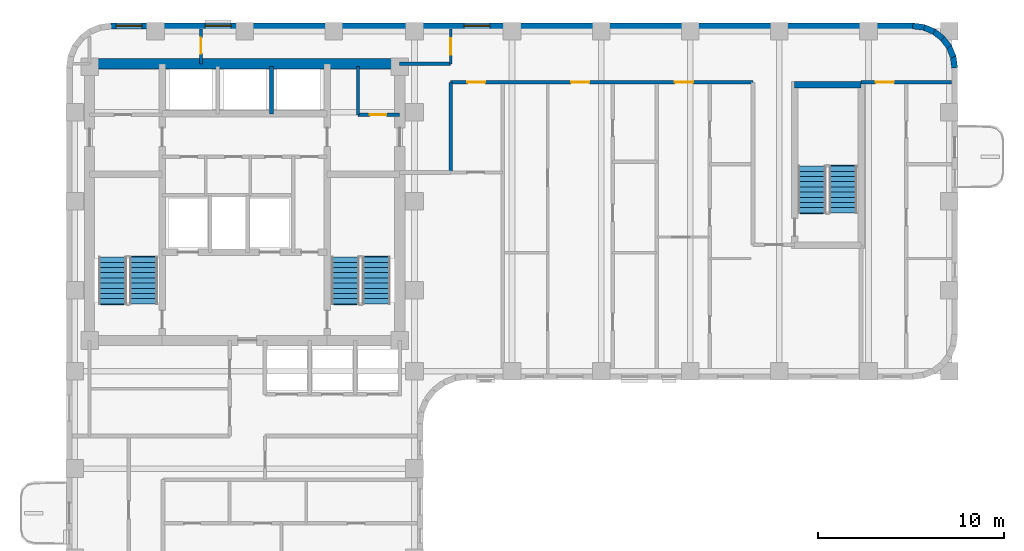
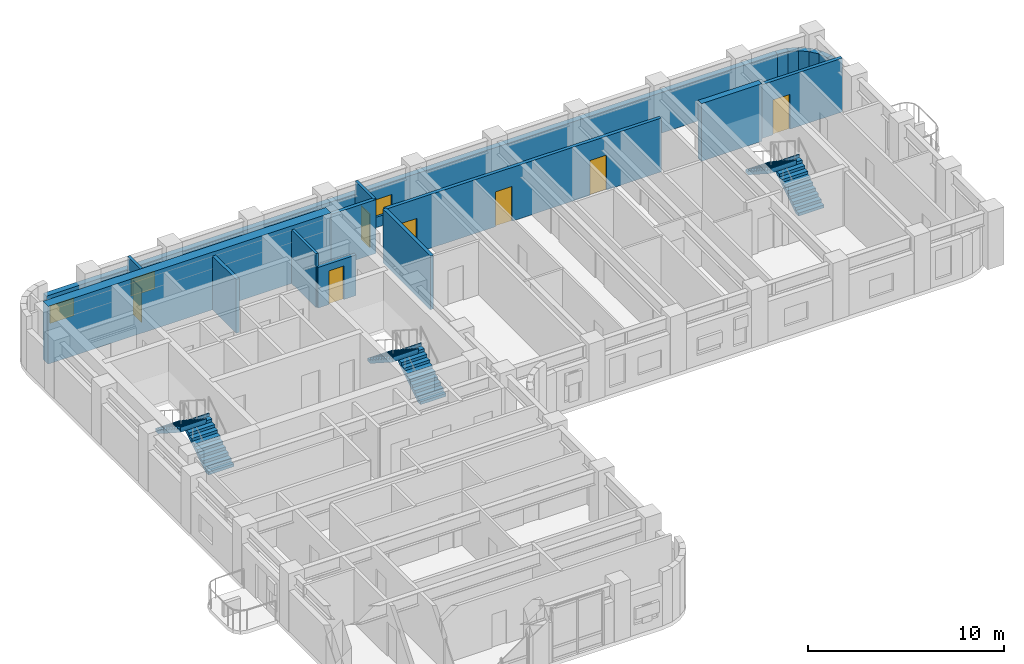
# One storey, part 8 of 11: 18 walls, 7 doors, 6 stair flights, 3 windows, 10 openings, 3 elements without a shape of their own.
"""IFC4 building model written with IfcOpenShell, lengths in metres."""

from ifc_helpers import new_model, si_unit, direction, frame, frame_2d, origin, place, context, subcontext, project, spatial, polyline, rectangle, outline, extrude, material, layer, layer_set, type_object, element, fill, aggregate, save


model = new_model("IFC4")

# Units and contexts
model_context = context("Model", 3, precision=1e-05, world=origin(), true_north=direction((0.0, 1.0)))
body_context = subcontext(model_context, "Body", "Model", "MODEL_VIEW")
ifc_project = project(units=[si_unit("LENGTHUNIT", "METRE"), si_unit("AREAUNIT", "SQUARE_METRE"), si_unit("VOLUMEUNIT", "CUBIC_METRE"), si_unit("PLANEANGLEUNIT", "RADIAN"), si_unit("MASSUNIT", "GRAM", prefix="KILO")], contexts=[model_context])

# Site, building, storey
site_placement = place(None, origin())
site = spatial("IfcSite", under=ifc_project, at=site_placement, CompositionType="ELEMENT")
building_placement = place(site_placement, origin())
building = spatial("IfcBuilding", under=site, at=building_placement, Name="Orvandelia Arch Residences", CompositionType="ELEMENT")
storey_placement = place(building_placement, frame((0.0, 0.0, 146.800048828125)))
storey = spatial("IfcBuildingStorey", under=building, at=storey_placement, Name="L38", CompositionType="ELEMENT", Elevation=146.800048828125)

# Walls
ifc_material_1 = material(Name="Concrete C50/60", Category="concrete")
ifc_layer_1 = layer(ifc_material_1, 0.35009765625, Name="Concrete C50/60", Category="concrete")
ifc_layer_set_1 = layer_set([ifc_layer_1], Name="Concrete C50/60")
wall_type_1 = type_object("IfcWallType", Name="WL-CORE-350", PredefinedType="SHEAR", material=ifc_layer_set_1)
wall_1_placement = place(storey_placement, frame((44.02001953125, 44.659912109375, 0.0), z_axis=(0.0, 0.0, 1.0), x_axis=(1.0, 0.0, 0.0)))
element("IfcWall", 1, at=wall_1_placement, inside=storey, type_object=wall_type_1, Name="East Stair Core Shear Wall L38-N", PredefinedType="SHEAR", context=body_context, shape_type="SweptSolid", body=[
    extrude(rectangle(XDim=3.580078125, YDim=0.35009765625, at=frame_2d((1.7900390625, 0.0))), origin(), (0.0, 0.0, 1.0), 3.599853515625),
])
ifc_material_2 = material(Name="Concrete C60/75", Category="concrete")
ifc_layer_2 = layer(ifc_material_2, 0.550048828125, Name="Concrete C60/75", Category="concrete")
ifc_layer_set_2 = layer_set([ifc_layer_2], Name="Concrete C60/75")
wall_type_2 = type_object("IfcWallType", Name="WL-CORE-550", PredefinedType="SHEAR", material=ifc_layer_set_2)
wall_2_placement = place(storey_placement, frame((6.050048828125, 45.800048828125, 0.0), z_axis=(0.0, 0.0, 1.0), x_axis=(1.0, 0.0, 0.0)))
element("IfcWall", 2, at=wall_2_placement, inside=storey, type_object=wall_type_2, Name="Core Shear Wall L38-N", PredefinedType="SHEAR", context=body_context, shape_type="SweptSolid", body=[
    extrude(rectangle(XDim=16.699951171875, YDim=0.550048828125, at=frame_2d((8.35009765625, 0.0))), origin(), (0.0, 0.0, 1.0), 3.599853515625),
])
ifc_material_3 = material(Name="Fire-Rated Corridor Partition")
ifc_layer_3 = layer(ifc_material_3, 0.199951171875, Name="Fire-Rated Corridor Partition")
ifc_layer_set_3 = layer_set([ifc_layer_3], Name="Fire-Rated Corridor Partition")
wall_type_3 = type_object("IfcWallType", Name="WL-CORR-200", PredefinedType="PARTITIONING", material=ifc_layer_set_3)
wall_3_placement = place(storey_placement, frame((22.75, 45.800048828125, 0.0), z_axis=(0.0, 0.0, 1.0), x_axis=(1.0, 0.0, 0.0)))
element("IfcWall", 3, at=wall_3_placement, inside=storey, type_object=wall_type_3, Name="Interior Partition Wall WL-L38-NCE-S", PredefinedType="PARTITIONING", context=body_context, shape_type="SweptSolid", body=[
    extrude(rectangle(XDim=2.75, YDim=0.199951171875, at=frame_2d((1.375, 0.0))), origin(), (0.0, 0.0, 1.0), 3.35986328125),
])

# Wall, openings, doors
wall_4_placement = place(storey_placement, frame((25.5, 44.800048828125, 0.0), z_axis=(0.0, 0.0, 1.0), x_axis=(1.0, 0.0, 0.0)))
wall_4 = element("IfcWall", 4, at=wall_4_placement, inside=storey, type_object=wall_type_3, Name="Interior Partition Wall WL-L38-EN2-S1", PredefinedType="PARTITIONING", context=body_context, shape_type="SweptSolid", body=[
    extrude(rectangle(XDim=16.280029296875, YDim=0.199951171875, at=frame_2d((8.14013671875, 0.0))), origin(), (0.0, 0.0, 1.0), 3.35986328125),
])
opening_1_placement = place(wall_4_placement, frame((0.89990234375, 0.0, 0.0)))
opening_1 = element("IfcOpeningElement", 5, at=opening_1_placement, cuts=wall_4, Name="Opening D2", PredefinedType="OPENING", context=body_context, shape_type="SweptSolid", body=[
    extrude(rectangle(XDim=0.949951171875, YDim=2.14990234375, at=frame_2d((0.47509765625, 1.074951171875))), frame((0.0, 0.10986328125, 0.0), z_axis=(0.0, -1.0, 0.0), x_axis=(1.0, 0.0, 0.0)), (0.0, 0.0, 1.0), 0.219970703125),
])
opening_2_placement = place(wall_4_placement, frame((6.485595703125, 0.0, 0.0)))
opening_2 = element("IfcOpeningElement", 6, at=opening_2_placement, cuts=wall_4, Name="Opening D1", PredefinedType="OPENING", context=body_context, shape_type="SweptSolid", body=[
    extrude(rectangle(XDim=0.97998046875, YDim=2.179931640625, at=frame_2d((0.489990234375, 1.08984375))), frame((0.0, 0.10986328125, 0.0), z_axis=(0.0, -1.0, 0.0), x_axis=(1.0, 0.0, 0.0)), (0.0, 0.0, 1.0), 0.219970703125),
])
opening_3_placement = place(wall_4_placement, frame((12.074951171875, 0.0, 0.0)))
opening_3 = element("IfcOpeningElement", 7, at=opening_3_placement, cuts=wall_4, Name="Opening D1", PredefinedType="OPENING", context=body_context, shape_type="SweptSolid", body=[
    extrude(rectangle(XDim=0.97998046875, YDim=2.179931640625, at=frame_2d((0.489990234375, 1.08984375))), frame((0.0, 0.10986328125, 0.0), z_axis=(0.0, -1.0, 0.0), x_axis=(1.0, 0.0, 0.0)), (0.0, 0.0, 1.0), 0.219970703125),
])
ifc_material_4 = material(Name="Solid-Core Timber Interior Fire Door", Category="wood")
door_type_1 = type_object("IfcDoorType", Name="DR-APT-950", OperationType="NOTDEFINED", PredefinedType="DOOR", material=ifc_material_4)
door_1_placement = place(opening_1_placement, origin())
door_1 = element("IfcDoor", 8, at=door_1_placement, inside=storey, type_object=door_type_1, Name="DR-L38-EN2KLD", OperationType="SINGLE_SWING_LEFT", OverallHeight=2.14990234375, OverallWidth=0.949951171875, PredefinedType="DOOR", context=body_context, shape_type="SweptSolid", body=[
    extrude(rectangle(XDim=0.949951171875, YDim=2.14990234375, at=frame_2d((0.47509765625, 1.074951171875))), frame((0.0, 0.02490234375, 0.0), z_axis=(0.0, -1.0, 0.0), x_axis=(1.0, 0.0, 0.0)), (0.0, 0.0, 1.0), 0.050048828125),
])
fill(opening_1, door_1)
ifc_material_5 = material(Name="Solid-Core Timber Acoustic Fire Door", Category="wood")
door_type_2 = type_object("IfcDoorType", Name="DR-ENT-980", OperationType="NOTDEFINED", PredefinedType="DOOR", material=ifc_material_5)
door_2_placement = place(opening_2_placement, origin())
door_2 = element("IfcDoor", 9, at=door_2_placement, inside=storey, type_object=door_type_2, Name="Unit L38-03 Entrance Door", OperationType="SINGLE_SWING_LEFT", OverallHeight=2.179931640625, OverallWidth=0.97998046875, PredefinedType="DOOR", context=body_context, shape_type="SweptSolid", body=[
    extrude(rectangle(XDim=0.97998046875, YDim=2.179931640625, at=frame_2d((0.489990234375, 1.08984375))), frame((0.0, 0.02490234375, 0.0), z_axis=(0.0, -1.0, 0.0), x_axis=(1.0, 0.0, 0.0)), (0.0, 0.0, 1.0), 0.050048828125),
])
fill(opening_2, door_2)
door_3_placement = place(opening_3_placement, origin())
door_3 = element("IfcDoor", 10, at=door_3_placement, inside=storey, type_object=door_type_2, Name="Unit L38-04 Entrance Door", OperationType="SINGLE_SWING_RIGHT", OverallHeight=2.179931640625, OverallWidth=0.97998046875, PredefinedType="DOOR", context=body_context, shape_type="SweptSolid", body=[
    extrude(rectangle(XDim=0.97998046875, YDim=2.179931640625, at=frame_2d((0.489990234375, 1.08984375))), frame((0.0, 0.02490234375, 0.0), z_axis=(0.0, -1.0, 0.0), x_axis=(1.0, 0.0, 0.0)), (0.0, 0.0, 1.0), 0.050048828125),
])
fill(opening_3, door_3)

# Wall, opening, door
wall_5_placement = place(storey_placement, frame((47.60009765625, 44.800048828125, 0.0), z_axis=(0.0, 0.0, 1.0), x_axis=(1.0, 0.0, 0.0)))
wall_5 = element("IfcWall", 11, at=wall_5_placement, inside=storey, type_object=wall_type_3, Name="Interior Partition Wall WL-L38-EN2-S2", PredefinedType="PARTITIONING", context=body_context, shape_type="SweptSolid", body=[
    extrude(rectangle(XDim=4.8798828125, YDim=0.199951171875, at=frame_2d((2.43994140625, 0.0))), origin(), (0.0, 0.0, 1.0), 3.35986328125),
])
opening_4_placement = place(wall_5_placement, frame((0.79150390625, 0.0, 0.0)))
opening_4 = element("IfcOpeningElement", 12, at=opening_4_placement, cuts=wall_5, Name="Opening D1", PredefinedType="OPENING", context=body_context, shape_type="SweptSolid", body=[
    extrude(rectangle(XDim=0.97998046875, YDim=2.179931640625, at=frame_2d((0.489990234375, 1.08984375))), frame((0.0, 0.10986328125, 0.0), z_axis=(0.0, -1.0, 0.0), x_axis=(1.0, 0.0, 0.0)), (0.0, 0.0, 1.0), 0.219970703125),
])
door_4_placement = place(opening_4_placement, origin())
door_4 = element("IfcDoor", 13, at=door_4_placement, inside=storey, type_object=door_type_2, Name="Unit L38-05 Entrance Door", OperationType="SINGLE_SWING_LEFT", OverallHeight=2.179931640625, OverallWidth=0.97998046875, PredefinedType="DOOR", context=body_context, shape_type="SweptSolid", body=[
    extrude(rectangle(XDim=0.97998046875, YDim=2.179931640625, at=frame_2d((0.489990234375, 1.08984375))), frame((0.0, 0.02490234375, 0.0), z_axis=(0.0, -1.0, 0.0), x_axis=(1.0, 0.0, 0.0)), (0.0, 0.0, 1.0), 0.050048828125),
])
fill(opening_4, door_4)

# Wall
wall_6_placement = place(storey_placement, frame((25.5, 39.949951171875, 0.0), z_axis=(0.0, 0.0, 1.0), x_axis=(0.0, 1.0, 0.0)))
element("IfcWall", 14, at=wall_6_placement, inside=storey, type_object=wall_type_3, Name="Interior Partition Wall WL-L38-EN2-LW", PredefinedType="PARTITIONING", context=body_context, shape_type="SweptSolid", body=[
    extrude(rectangle(XDim=4.85009765625, YDim=0.199951171875, at=frame_2d((2.425048828125, 0.0))), origin(), (0.0, 0.0, 1.0), 3.35986328125),
])

# Wall, openings, windows
ifc_material_6 = material(Name="Precast concrete C40/50", Category="concrete")
ifc_layer_4 = layer(ifc_material_6, 0.320068359375, Name="Precast concrete C40/50", Category="concrete")
ifc_layer_set_4 = layer_set([ifc_layer_4], Name="Precast concrete C40/50")
wall_type_4 = type_object("IfcWallType", Name="WL-EXT-STONE-320", PredefinedType="STANDARD", material=ifc_layer_set_4)
wall_7_placement = place(storey_placement, frame((7.199951171875, 47.840087890625, 0.0), z_axis=(0.0, 0.0, 1.0), x_axis=(1.0, 0.0, 0.0)))
wall_7 = element("IfcWall", 15, at=wall_7_placement, inside=storey, type_object=wall_type_4, Name="Coral-Limestone Precast Facade Wall L38-007", PredefinedType="STANDARD", context=body_context, shape_type="SweptSolid", body=[
    extrude(rectangle(XDim=43.199951171875, YDim=0.320068359375, at=frame_2d((21.60009765625, 0.0))), origin(), (0.0, 0.0, 1.0), 2.5400390625),
])
opening_5_placement = place(wall_7_placement, frame((19.00244140625, 0.0, 0.64990234375)))
opening_5 = element("IfcOpeningElement", 16, at=opening_5_placement, cuts=wall_7, Name="Opening W10", PredefinedType="OPENING", context=body_context, shape_type="SweptSolid", body=[
    extrude(rectangle(XDim=1.39990234375, YDim=1.10009765625, at=frame_2d((0.699951171875, 0.550048828125))), frame((0.0, 0.169921875, 0.0), z_axis=(0.0, -1.0, 0.0), x_axis=(1.0, 0.0, 0.0)), (0.0, 0.0, 1.0), 0.340087890625),
])
opening_6_placement = place(wall_7_placement, frame((0.282470703125, 0.0, 0.64990234375)))
opening_6 = element("IfcOpeningElement", 17, at=opening_6_placement, cuts=wall_7, Name="Opening W10", PredefinedType="OPENING", context=body_context, shape_type="SweptSolid", body=[
    extrude(rectangle(XDim=1.39990234375, YDim=1.10009765625, at=frame_2d((0.699951171875, 0.550048828125))), frame((0.0, 0.169921875, 0.0), z_axis=(0.0, -1.0, 0.0), x_axis=(1.0, 0.0, 0.0)), (0.0, 0.0, 1.0), 0.340087890625),
])
opening_7_placement = place(wall_7_placement, frame((5.077392578125, 0.0, 0.64990234375)))
opening_7 = element("IfcOpeningElement", 18, at=opening_7_placement, cuts=wall_7, Name="Opening W10", PredefinedType="OPENING", context=body_context, shape_type="SweptSolid", body=[
    extrude(rectangle(XDim=1.39990234375, YDim=1.10009765625, at=frame_2d((0.699951171875, 0.550048828125))), frame((0.0, 0.169921875, 0.0), z_axis=(0.0, -1.0, 0.0), x_axis=(1.0, 0.0, 0.0)), (0.0, 0.0, 1.0), 0.340087890625),
])
ifc_material_7 = material(Name="Tempered Low-E Insulated Glazing", Category="glass")
window_type = type_object("IfcWindowType", Name="WIN-CLR-1400x1100", PartitioningType="SINGLE_PANEL", PredefinedType="WINDOW", material=ifc_material_7)
window_1_placement = place(opening_5_placement, origin())
window_1 = element("IfcWindow", 19, at=window_1_placement, inside=storey, type_object=window_type, Name="Recessed Punched Window L38-001", OverallHeight=1.10009765625, OverallWidth=1.39990234375, PartitioningType="SINGLE_PANEL", PredefinedType="WINDOW", context=body_context, shape_type="SweptSolid", body=[
    extrude(rectangle(XDim=1.39990234375, YDim=1.10009765625, at=frame_2d((0.699951171875, 0.550048828125))), frame((0.0, 0.030029296875, 0.0), z_axis=(0.0, -1.0, 0.0), x_axis=(1.0, 0.0, 0.0)), (0.0, 0.0, 1.0), 0.06005859375),
])
fill(opening_5, window_1)
window_2_placement = place(opening_6_placement, origin())
window_2 = element("IfcWindow", 20, at=window_2_placement, inside=storey, type_object=window_type, Name="Recessed Punched Window L38-002", OverallHeight=1.10009765625, OverallWidth=1.39990234375, PartitioningType="SINGLE_PANEL", PredefinedType="WINDOW", context=body_context, shape_type="SweptSolid", body=[
    extrude(rectangle(XDim=1.39990234375, YDim=1.10009765625, at=frame_2d((0.699951171875, 0.550048828125))), frame((0.0, 0.030029296875, 0.0), z_axis=(0.0, -1.0, 0.0), x_axis=(1.0, 0.0, 0.0)), (0.0, 0.0, 1.0), 0.06005859375),
])
fill(opening_6, window_2)
window_3_placement = place(opening_7_placement, origin())
window_3 = element("IfcWindow", 21, at=window_3_placement, inside=storey, type_object=window_type, Name="Recessed Punched Window L38-003", OverallHeight=1.10009765625, OverallWidth=1.39990234375, PartitioningType="SINGLE_PANEL", PredefinedType="WINDOW", context=body_context, shape_type="SweptSolid", body=[
    extrude(rectangle(XDim=1.39990234375, YDim=1.10009765625, at=frame_2d((0.699951171875, 0.550048828125))), frame((0.0, 0.030029296875, 0.0), z_axis=(0.0, -1.0, 0.0), x_axis=(1.0, 0.0, 0.0)), (0.0, 0.0, 1.0), 0.06005859375),
])
fill(opening_7, window_3)

# Walls
for number, where, z_axis, x_axis, name in (
    (22, (50.379150390625, 47.84130859375, 0.0), (0.0, 0.0, 1.0), (0.9914410257, -0.130555323746, 0.0), "Coral-Limestone Precast Facade Wall L38-008"),
    (23, (50.9599609375, 47.7705078125, 0.0), (0.0, 0.0, 1.0), (0.92389335771, -0.382650053678, 0.0), "Coral-Limestone Precast Facade Wall L38-009"),
    (24, (51.502685546875, 47.551513671875, 0.0), (0.0, 0.0, 1.0), (0.793405610854, -0.608693302629, 0.0), "Coral-Limestone Precast Facade Wall L38-010"),
    (25, (51.97021484375, 47.19970703125, 0.0), (0.0, 0.0, 1.0), (0.608693302629, -0.793405610854, 0.0), "Coral-Limestone Precast Facade Wall L38-011"),
    (26, (52.330810546875, 46.73876953125, 0.0), (0.0, 0.0, 1.0), (0.382317370307, -0.924031075431, 0.0), "Coral-Limestone Precast Facade Wall L38-012"),
    (27, (52.5595703125, 46.2001953125, 0.0), (0.0, 0.0, 1.0), (0.130555323746, -0.9914410257, 0.0), "Coral-Limestone Precast Facade Wall L38-013"),
):
    element("IfcWall", number, at=place(storey_placement, frame(where, z_axis=z_axis, x_axis=x_axis)), inside=storey, type_object=wall_type_4, Name=name, PredefinedType="STANDARD", context=body_context, shape_type="SweptSolid", body=[
        extrude(rectangle(XDim=0.62646484375, YDim=0.320068359375, at=frame_2d((0.313232421875, 0.0))), origin(), (0.0, 0.0, 1.0), 2.5400390625),
    ])
ifc_material_8 = material(Name="Acoustic Gypsum Stud Partition")
ifc_layer_5 = layer(ifc_material_8, 0.14990234375, Name="Acoustic Gypsum Stud Partition")
ifc_layer_set_5 = layer_set([ifc_layer_5], Name="Acoustic Gypsum Stud Partition")
wall_type_5 = type_object("IfcWallType", Name="WL-PART-150", PredefinedType="PARTITIONING", material=ifc_layer_set_5)
wall_8_placement = place(storey_placement, frame((20.5, 43.050048828125, 0.0), z_axis=(0.0, 0.0, 1.0), x_axis=(0.0, 1.0, 0.0)))
element("IfcWall", 28, at=wall_8_placement, inside=storey, type_object=wall_type_5, Name="Interior Partition Wall WL-L38-CSB-2W", PredefinedType="PARTITIONING", context=body_context, shape_type="SweptSolid", body=[
    extrude(rectangle(XDim=2.599853515625, YDim=0.14990234375, at=frame_2d((1.2998046875, 0.0))), origin(), (0.0, 0.0, 1.0), 3.35986328125),
])

# Wall, opening, door
wall_9_placement = place(storey_placement, frame((25.5, 45.800048828125, 0.0), z_axis=(0.0, 0.0, 1.0), x_axis=(0.0, 1.0, 0.0)))
wall_9 = element("IfcWall", 29, at=wall_9_placement, inside=storey, type_object=wall_type_5, Name="Interior Partition Wall WL-L38-NCE-W", PredefinedType="PARTITIONING", context=body_context, shape_type="SweptSolid", body=[
    extrude(rectangle(XDim=1.8798828125, YDim=0.14990234375, at=frame_2d((0.93994140625, 0.0))), origin(), (0.0, 0.0, 1.0), 3.35986328125),
])
opening_8_placement = place(wall_9_placement, frame((0.5, 0.0, 0.0)))
opening_8 = element("IfcOpeningElement", 30, at=opening_8_placement, cuts=wall_9, Name="Opening D5", PredefinedType="OPENING", context=body_context, shape_type="SweptSolid", body=[
    extrude(rectangle(XDim=0.8798828125, YDim=2.10009765625, at=frame_2d((0.43994140625, 1.050048828125))), frame((0.0, 0.0849609375, 0.0), z_axis=(0.0, -1.0, 0.0), x_axis=(1.0, 0.0, 0.0)), (0.0, 0.0, 1.0), 0.169921875),
])
ifc_material_9 = material(Name="Painted Galvanised Steel Service Door", Category="steel")
door_type_3 = type_object("IfcDoorType", Name="DR-SRV-880", OperationType="NOTDEFINED", PredefinedType="DOOR", material=ifc_material_9)
door_5_placement = place(opening_8_placement, origin())
door_5 = element("IfcDoor", 31, at=door_5_placement, inside=storey, type_object=door_type_3, Name="DR-L38-NCS2", OperationType="SINGLE_SWING_LEFT", OverallHeight=2.10009765625, OverallWidth=0.8798828125, PredefinedType="DOOR", context=body_context, shape_type="SweptSolid", body=[
    extrude(rectangle(XDim=0.8798828125, YDim=2.10009765625, at=frame_2d((0.43994140625, 1.050048828125))), frame((0.0, 0.02490234375, 0.0), z_axis=(0.0, -1.0, 0.0), x_axis=(1.0, 0.0, 0.0)), (0.0, 0.0, 1.0), 0.050048828125),
])
fill(opening_8, door_5)

wall_10_placement = place(storey_placement, frame((12.050048828125, 45.800048828125, 0.0), z_axis=(0.0, 0.0, 1.0), x_axis=(0.0, 1.0, 0.0)))
wall_10 = element("IfcWall", 32, at=wall_10_placement, inside=storey, type_object=wall_type_5, Name="Interior Partition Wall WL-L38-NC-M", PredefinedType="PARTITIONING", context=body_context, shape_type="SweptSolid", body=[
    extrude(rectangle(XDim=1.8798828125, YDim=0.14990234375, at=frame_2d((0.93994140625, 0.0))), origin(), (0.0, 0.0, 1.0), 3.35986328125),
])
opening_9_placement = place(wall_10_placement, frame((0.550048828125, 0.0, 0.0)))
opening_9 = element("IfcOpeningElement", 33, at=opening_9_placement, cuts=wall_10, Name="Opening D4", PredefinedType="OPENING", context=body_context, shape_type="SweptSolid", body=[
    extrude(rectangle(XDim=0.860107421875, YDim=2.10009765625, at=frame_2d((0.43017578125, 1.050048828125))), frame((0.0, 0.0849609375, 0.0), z_axis=(0.0, -1.0, 0.0), x_axis=(1.0, 0.0, 0.0)), (0.0, 0.0, 1.0), 0.169921875),
])
ifc_material_10 = material(Name="Moisture-Sealed Timber Bathroom Door", Category="wood")
door_type_4 = type_object("IfcDoorType", Name="DR-WET-900", OperationType="NOTDEFINED", PredefinedType="DOOR", material=ifc_material_10)
door_6_placement = place(opening_9_placement, origin())
door_6 = element("IfcDoor", 34, at=door_6_placement, inside=storey, type_object=door_type_4, Name="DR-L38-NCS1", OperationType="SINGLE_SWING_LEFT", OverallHeight=2.10009765625, OverallWidth=0.860107421875, PredefinedType="DOOR", context=body_context, shape_type="SweptSolid", body=[
    extrude(rectangle(XDim=0.860107421875, YDim=2.10009765625, at=frame_2d((0.43017578125, 1.050048828125))), frame((0.0, 0.02490234375, 0.0), z_axis=(0.0, -1.0, 0.0), x_axis=(1.0, 0.0, 0.0)), (0.0, 0.0, 1.0), 0.050048828125),
])
fill(opening_9, door_6)

ifc_material_11 = material(Name="Fire-Rated Shaft Enclosure Wall")
ifc_layer_6 = layer(ifc_material_11, 0.199951171875, Name="Fire-Rated Shaft Enclosure Wall")
ifc_layer_set_6 = layer_set([ifc_layer_6], Name="Fire-Rated Shaft Enclosure Wall")
wall_type_6 = type_object("IfcWallType", Name="WL-SHAFT-200", PredefinedType="POLYGONAL", material=ifc_layer_set_6)
wall_11_placement = place(storey_placement, frame((20.5, 43.050048828125, 0.0), z_axis=(0.0, 0.0, 1.0), x_axis=(1.0, 0.0, 0.0)))
wall_11 = element("IfcWall", 35, at=wall_11_placement, inside=storey, type_object=wall_type_6, Name="Interior Partition Wall WL-L38-HLE-N", PredefinedType="POLYGONAL", context=body_context, shape_type="SweptSolid", body=[
    extrude(rectangle(XDim=2.25, YDim=0.199951171875, at=frame_2d((1.125, 0.0))), origin(), (0.0, 0.0, 1.0), 2.5400390625),
])
opening_10_placement = place(wall_11_placement, frame((0.64990234375, 0.0, 0.0)))
opening_10 = element("IfcOpeningElement", 36, at=opening_10_placement, cuts=wall_11, Name="Opening D5", PredefinedType="OPENING", context=body_context, shape_type="SweptSolid", body=[
    extrude(rectangle(XDim=0.8798828125, YDim=2.10009765625, at=frame_2d((0.43994140625, 1.050048828125))), frame((0.0, 0.10986328125, 0.0), z_axis=(0.0, -1.0, 0.0), x_axis=(1.0, 0.0, 0.0)), (0.0, 0.0, 1.0), 0.219970703125),
])
door_7_placement = place(opening_10_placement, origin())
door_7 = element("IfcDoor", 37, at=door_7_placement, inside=storey, type_object=door_type_3, Name="DR-L38-CSB1", OperationType="SINGLE_SWING_RIGHT", OverallHeight=2.10009765625, OverallWidth=0.8798828125, PredefinedType="DOOR", context=body_context, shape_type="SweptSolid", body=[
    extrude(rectangle(XDim=0.8798828125, YDim=2.10009765625, at=frame_2d((0.43994140625, 1.050048828125))), frame((0.0, 0.02490234375, 0.0), z_axis=(0.0, -1.0, 0.0), x_axis=(1.0, 0.0, 0.0)), (0.0, 0.0, 1.0), 0.050048828125),
])
fill(opening_10, door_7)

# Wall
wall_12_placement = place(storey_placement, frame((15.85009765625, 43.10009765625, 0.0), z_axis=(0.0, 0.0, 1.0), x_axis=(0.0, 1.0, 0.0)))
element("IfcWall", 38, at=wall_12_placement, inside=storey, type_object=wall_type_6, Name="Interior Partition Wall WL-L38-PHD2", PredefinedType="POLYGONAL", context=body_context, shape_type="SweptSolid", body=[
    extrude(rectangle(XDim=2.5498046875, YDim=0.199951171875, at=frame_2d((1.27490234375, 0.0))), origin(), (0.0, 0.0, 1.0), 3.35986328125),
])

# Stair, stair flights
ifc_material_12 = material(Name="Concrete C40/50", Category="concrete")
stair_type = type_object("IfcStairType", Name="STAIR-RC-DOGLEG", PredefinedType="HALF_TURN_STAIR", material=ifc_material_12)
stair_1_placement = place(storey_placement, origin())
stair_1 = element("IfcStair", 39, at=stair_1_placement, inside=storey, type_object=stair_type, Name="L38 Protected Exit Stair ST-1", PredefinedType="HALF_TURN_STAIR")
stair_flight_type = type_object("IfcStairFlightType", Name="STFLT-RC-1520", PredefinedType="STRAIGHT", material=ifc_material_12)
stair_flight_1_placement = place(storey_placement, frame((8.9599609375, 32.8701171875, 0.0), z_axis=(0.0, 0.0, 1.0), x_axis=(0.0, 1.0, 0.0)))
stair_flight_1 = element("IfcStairFlight", 40, at=stair_flight_1_placement, type_object=stair_flight_type, Name="ST-1 flight 1", NumberOfRisers=10, NumberOfTreads=9, PredefinedType="STRAIGHT", RiserHeight=0.18, TreadLength=0.28, context=body_context, shape_type="SweptSolid", body=[
    extrude(outline(polyline([(0.0, 0.0), (0.0, 0.179931640625), (0.280029296875, 0.179931640625), (0.280029296875, 0.360107421875), (0.56005859375, 0.360107421875), (0.56005859375, 0.5400390625), (0.840087890625, 0.5400390625), (0.840087890625, 0.719970703125), (1.1201171875, 0.719970703125), (1.1201171875, 0.89990234375), (1.39990234375, 0.89990234375), (1.39990234375, 1.080078125), (1.679931640625, 1.080078125), (1.679931640625, 1.260009765625), (1.9599609375, 1.260009765625), (1.9599609375, 1.43994140625), (2.239990234375, 1.43994140625), (2.239990234375, 1.6201171875), (2.52001953125, 1.6201171875), (2.52001953125, 1.800048828125), (2.580078125, 1.800048828125), (2.580078125, 1.6201171875), (2.52001953125, 1.44189453125), (0.277099609375, 0.0), (0.0, 0.0)])), frame((0.0, 0.760009765625, 0.0), z_axis=(0.0, -1.0, 0.0), x_axis=(1.0, 0.0, 0.0)), (0.0, 0.0, 1.0), 1.52001953125),
])
stair_flight_2_placement = place(storey_placement, frame((7.2900390625, 35.389892578125, 1.800048828125), z_axis=(0.0, 0.0, 1.0), x_axis=(0.0, -1.0, 0.0)))
stair_flight_2 = element("IfcStairFlight", 41, at=stair_flight_2_placement, type_object=stair_flight_type, Name="ST-1 flight 2", NumberOfRisers=10, NumberOfTreads=9, PredefinedType="STRAIGHT", RiserHeight=0.18, TreadLength=0.28, context=body_context, shape_type="SweptSolid", body=[
    extrude(outline(polyline([(0.0, 0.0), (0.0, 0.179931640625), (0.280029296875, 0.179931640625), (0.280029296875, 0.360107421875), (0.56005859375, 0.360107421875), (0.56005859375, 0.5400390625), (0.840087890625, 0.5400390625), (0.840087890625, 0.719970703125), (1.1201171875, 0.719970703125), (1.1201171875, 0.89990234375), (1.39990234375, 0.89990234375), (1.39990234375, 1.080078125), (1.679931640625, 1.080078125), (1.679931640625, 1.260009765625), (1.9599609375, 1.260009765625), (1.9599609375, 1.43994140625), (2.239990234375, 1.43994140625), (2.239990234375, 1.6201171875), (2.52001953125, 1.6201171875), (2.52001953125, 1.800048828125), (2.580078125, 1.800048828125), (2.580078125, 1.6201171875), (2.52001953125, 1.44189453125), (0.277099609375, 0.0), (0.0, 0.0)])), frame((0.0, 0.760009765625, 0.0), z_axis=(0.0, -1.0, 0.0), x_axis=(1.0, 0.0, 0.0)), (0.0, 0.0, 1.0), 1.52001953125),
])
aggregate(stair_1, [stair_flight_1, stair_flight_2])

stair_2_placement = place(storey_placement, origin())
stair_2 = element("IfcStair", 42, at=stair_2_placement, inside=storey, type_object=stair_type, Name="L38 Protected Exit Stair ST-2", PredefinedType="HALF_TURN_STAIR")
stair_flight_3_placement = place(storey_placement, frame((21.489990234375, 32.8701171875, 0.0), z_axis=(0.0, 0.0, 1.0), x_axis=(0.0, 1.0, 0.0)))
stair_flight_3 = element("IfcStairFlight", 43, at=stair_flight_3_placement, type_object=stair_flight_type, Name="ST-2 flight 1", NumberOfRisers=10, NumberOfTreads=9, PredefinedType="STRAIGHT", RiserHeight=0.18, TreadLength=0.28, context=body_context, shape_type="SweptSolid", body=[
    extrude(outline(polyline([(0.0, 0.0), (0.0, 0.179931640625), (0.280029296875, 0.179931640625), (0.280029296875, 0.360107421875), (0.56005859375, 0.360107421875), (0.56005859375, 0.5400390625), (0.840087890625, 0.5400390625), (0.840087890625, 0.719970703125), (1.1201171875, 0.719970703125), (1.1201171875, 0.89990234375), (1.39990234375, 0.89990234375), (1.39990234375, 1.080078125), (1.679931640625, 1.080078125), (1.679931640625, 1.260009765625), (1.9599609375, 1.260009765625), (1.9599609375, 1.43994140625), (2.239990234375, 1.43994140625), (2.239990234375, 1.6201171875), (2.52001953125, 1.6201171875), (2.52001953125, 1.800048828125), (2.580078125, 1.800048828125), (2.580078125, 1.6201171875), (2.52001953125, 1.44189453125), (0.277099609375, 0.0), (0.0, 0.0)])), frame((0.0, 0.760009765625, 0.0), z_axis=(0.0, -1.0, 0.0), x_axis=(1.0, 0.0, 0.0)), (0.0, 0.0, 1.0), 1.52001953125),
])
stair_flight_4_placement = place(storey_placement, frame((19.820068359375, 35.389892578125, 1.800048828125), z_axis=(0.0, 0.0, 1.0), x_axis=(0.0, -1.0, 0.0)))
stair_flight_4 = element("IfcStairFlight", 44, at=stair_flight_4_placement, type_object=stair_flight_type, Name="ST-2 flight 2", NumberOfRisers=10, NumberOfTreads=9, PredefinedType="STRAIGHT", RiserHeight=0.18, TreadLength=0.28, context=body_context, shape_type="SweptSolid", body=[
    extrude(outline(polyline([(0.0, 0.0), (0.0, 0.179931640625), (0.280029296875, 0.179931640625), (0.280029296875, 0.360107421875), (0.56005859375, 0.360107421875), (0.56005859375, 0.5400390625), (0.840087890625, 0.5400390625), (0.840087890625, 0.719970703125), (1.1201171875, 0.719970703125), (1.1201171875, 0.89990234375), (1.39990234375, 0.89990234375), (1.39990234375, 1.080078125), (1.679931640625, 1.080078125), (1.679931640625, 1.260009765625), (1.9599609375, 1.260009765625), (1.9599609375, 1.43994140625), (2.239990234375, 1.43994140625), (2.239990234375, 1.6201171875), (2.52001953125, 1.6201171875), (2.52001953125, 1.800048828125), (2.580078125, 1.800048828125), (2.580078125, 1.6201171875), (2.52001953125, 1.44189453125), (0.277099609375, 0.0), (0.0, 0.0)])), frame((0.0, 0.760009765625, 0.0), z_axis=(0.0, -1.0, 0.0), x_axis=(1.0, 0.0, 0.0)), (0.0, 0.0, 1.0), 1.52001953125),
])
aggregate(stair_2, [stair_flight_3, stair_flight_4])

stair_3_placement = place(storey_placement, origin())
stair_3 = element("IfcStair", 45, at=stair_3_placement, inside=storey, type_object=stair_type, Name="L38 East Wing Exit Stair ST-3", PredefinedType="HALF_TURN_STAIR")
stair_flight_5_placement = place(storey_placement, frame((46.639892578125, 37.77001953125, 0.0), z_axis=(0.0, 0.0, 1.0), x_axis=(0.0, 1.0, 0.0)))
stair_flight_5 = element("IfcStairFlight", 46, at=stair_flight_5_placement, type_object=stair_flight_type, Name="ST-3 flight 1", NumberOfRisers=10, NumberOfTreads=9, PredefinedType="STRAIGHT", RiserHeight=0.18, TreadLength=0.28, context=body_context, shape_type="SweptSolid", body=[
    extrude(outline(polyline([(0.0, 0.0), (0.0, 0.179931640625), (0.280029296875, 0.179931640625), (0.280029296875, 0.360107421875), (0.56005859375, 0.360107421875), (0.56005859375, 0.5400390625), (0.840087890625, 0.5400390625), (0.840087890625, 0.719970703125), (1.1201171875, 0.719970703125), (1.1201171875, 0.89990234375), (1.39990234375, 0.89990234375), (1.39990234375, 1.080078125), (1.679931640625, 1.080078125), (1.679931640625, 1.260009765625), (1.9599609375, 1.260009765625), (1.9599609375, 1.43994140625), (2.239990234375, 1.43994140625), (2.239990234375, 1.6201171875), (2.52001953125, 1.6201171875), (2.52001953125, 1.800048828125), (2.580078125, 1.800048828125), (2.580078125, 1.6201171875), (2.52001953125, 1.44189453125), (0.277099609375, 0.0), (0.0, 0.0)])), frame((0.0, 0.760009765625, 0.0), z_axis=(0.0, -1.0, 0.0), x_axis=(1.0, 0.0, 0.0)), (0.0, 0.0, 1.0), 1.52001953125),
])
stair_flight_6_placement = place(storey_placement, frame((44.969970703125, 40.2900390625, 1.800048828125), z_axis=(0.0, 0.0, 1.0), x_axis=(0.0, -1.0, 0.0)))
stair_flight_6 = element("IfcStairFlight", 47, at=stair_flight_6_placement, type_object=stair_flight_type, Name="ST-3 flight 2", NumberOfRisers=10, NumberOfTreads=9, PredefinedType="STRAIGHT", RiserHeight=0.18, TreadLength=0.28, context=body_context, shape_type="SweptSolid", body=[
    extrude(outline(polyline([(0.0, 0.0), (0.0, 0.179931640625), (0.280029296875, 0.179931640625), (0.280029296875, 0.360107421875), (0.56005859375, 0.360107421875), (0.56005859375, 0.5400390625), (0.840087890625, 0.5400390625), (0.840087890625, 0.719970703125), (1.1201171875, 0.719970703125), (1.1201171875, 0.89990234375), (1.39990234375, 0.89990234375), (1.39990234375, 1.080078125), (1.679931640625, 1.080078125), (1.679931640625, 1.260009765625), (1.9599609375, 1.260009765625), (1.9599609375, 1.43994140625), (2.239990234375, 1.43994140625), (2.239990234375, 1.6201171875), (2.52001953125, 1.6201171875), (2.52001953125, 1.800048828125), (2.580078125, 1.800048828125), (2.580078125, 1.6201171875), (2.52001953125, 1.44189453125), (0.277099609375, 0.0), (0.0, 0.0)])), frame((0.0, 0.760009765625, 0.0), z_axis=(0.0, -1.0, 0.0), x_axis=(1.0, 0.0, 0.0)), (0.0, 0.0, 1.0), 1.52001953125),
])
aggregate(stair_3, [stair_flight_5, stair_flight_6])

save(model, "model.ifc")
